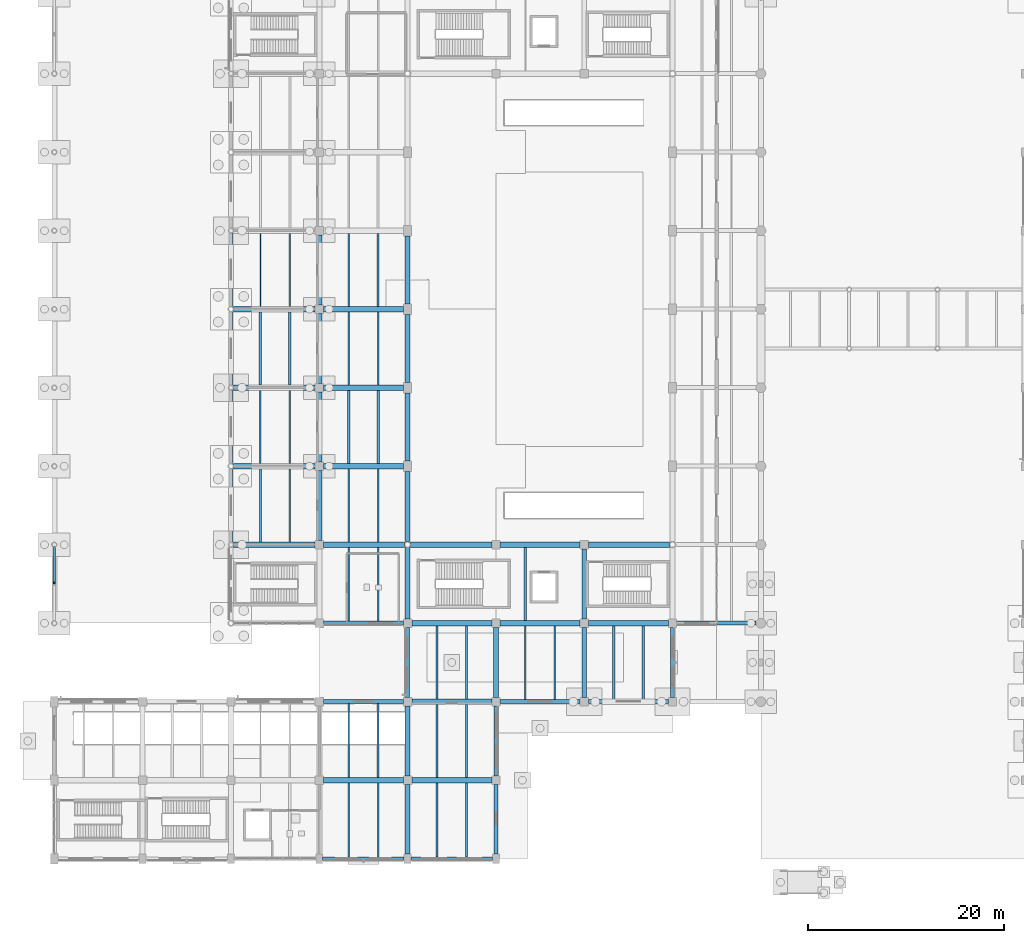
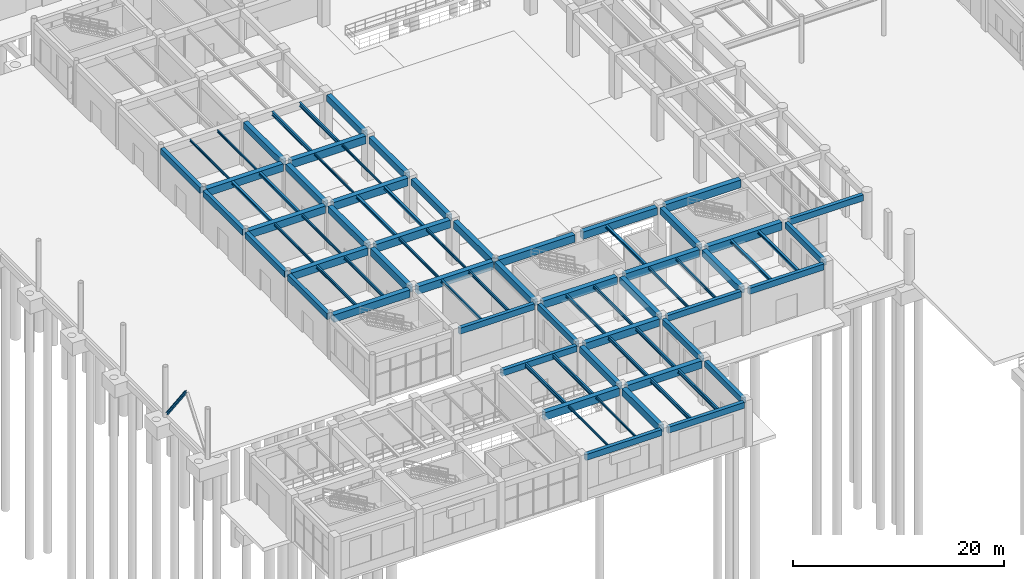
# One storey, part 21 of 121: 79 beams, 1 member.
"""IFC4 building model written with IfcOpenShell, lengths in metres."""

from ifc_helpers import new_model, si_unit, derived_unit, direction, frame, origin, origin_2d, place, context, subcontext, project, spatial, rectangle, i_section, extrude, material, material_profile, profile_set, type_object, element, save


model = new_model("IFC4")

# Units and contexts
model_context = context("Model", 3, precision=1e-05, world=origin(), true_north=direction((0.0, 1.0)))
body_context = subcontext(model_context, "Body", "Model", "MODEL_VIEW")
ifc_project = project(units=[si_unit("LENGTHUNIT", "METRE"), si_unit("AREAUNIT", "SQUARE_METRE"), si_unit("VOLUMEUNIT", "CUBIC_METRE"), si_unit("PLANEANGLEUNIT", "RADIAN"), si_unit("MASSUNIT", "GRAM", prefix="KILO"), derived_unit("THERMALTRANSMITTANCEUNIT", [(si_unit("MASSUNIT", "GRAM", prefix="KILO"), 1), (si_unit("TIMEUNIT", "SECOND"), -3), (si_unit("THERMODYNAMICTEMPERATUREUNIT", "KELVIN"), -1)])], contexts=[model_context])

# Site, building, storey
site_placement = place(None, origin())
site = spatial("IfcSite", under=ifc_project, at=site_placement, CompositionType="ELEMENT")
building_placement = place(site_placement, origin())
building = spatial("IfcBuilding", under=site, at=building_placement, Name="Zhenchuan Archway Interchange", CompositionType="ELEMENT")
storey_placement = place(building_placement, origin())
storey = spatial("IfcBuildingStorey", under=building, at=storey_placement, Name="L00", CompositionType="ELEMENT", Elevation=0.0)

# Beams
ifc_material_1 = material(Name="Concrete C40", Category="concrete")
ifc_material_profile_1 = material_profile(ifc_material_1, rectangle(XDim=0.5, YDim=0.75, at=origin_2d()), Name="RC 500x750")
ifc_profile_set_1 = profile_set([ifc_material_profile_1], Name="Concrete C40")
beam_type_1 = type_object("IfcBeamType", Name="BM_RC_500x750", PredefinedType="BEAM", material=ifc_profile_set_1)
for number, where, z_axis, x_axis, name in (
    (1, (27.0, 40.425048828125, 4.64501953125), (0.0, 1.0, 0.0), (-1.0, 0.0, 0.0), "Beam 4:F-G (L00)"),
    (2, (27.0, 48.425048828125, 4.64501953125), (0.0, 1.0, 0.0), (-1.0, 0.0, 0.0), "Beam 4:G-H (L00)"),
    (3, (27.0, 56.425048828125, 4.64501953125), (0.0, 1.0, 0.0), (-1.0, 0.0, 0.0), "Beam 4:H-J (L00)"),
    (4, (36.0, 8.425048828125, 4.705078125), (0.0, 1.0, 0.0), (-1.0, 0.0, 0.0), "Beam 5:B-C (L00)"),
):
    element("IfcBeam", number, at=place(storey_placement, frame(where, z_axis=z_axis, x_axis=x_axis)), inside=storey, type_object=beam_type_1, Name=name, PredefinedType="BEAM", context=body_context, shape_type="SweptSolid", body=[
        extrude(rectangle(XDim=0.5, YDim=0.75, at=origin_2d()), origin(), (0.0, 0.0, 1.0), 7.14990234375),
    ])
beam_1_placement = place(storey_placement, frame((36.0, 24.425048828125, 4.705078125), z_axis=(0.0, 1.0, 0.0), x_axis=(-1.0, 0.0, 0.0)))
element("IfcBeam", 5, at=beam_1_placement, inside=storey, type_object=beam_type_1, Name="Beam 5:D-E (L00)", PredefinedType="BEAM", context=body_context, shape_type="SweptSolid", body=[
    extrude(rectangle(XDim=0.5, YDim=0.75, at=origin_2d()), origin(), (0.0, 0.0, 1.0), 7.27001953125),
])
for number, where, z_axis, x_axis, name in (
    (6, (36.0, 40.550048828125, 4.705078125), (0.0, 1.0, 0.0), (-1.0, 0.0, 0.0), "Beam 5:F-G (L00)"),
    (7, (36.0, 48.550048828125, 4.705078125), (0.0, 1.0, 0.0), (-1.0, 0.0, 0.0), "Beam 5:G-H (L00)"),
    (8, (36.0, 56.550048828125, 4.705078125), (0.0, 1.0, 0.0), (-1.0, 0.0, 0.0), "Beam 5:H-J (L00)"),
):
    element("IfcBeam", number, at=place(storey_placement, frame(where, z_axis=z_axis, x_axis=x_axis)), inside=storey, type_object=beam_type_1, Name=name, PredefinedType="BEAM", context=body_context, shape_type="SweptSolid", body=[
        extrude(rectangle(XDim=0.5, YDim=0.75, at=origin_2d()), origin(), (0.0, 0.0, 1.0), 6.89990234375),
    ])
for number, where, z_axis, x_axis, name in (
    (9, (45.0, 16.425048828125, 4.705078125), (0.0, 1.0, 0.0), (-1.0, 0.0, 0.0), "Beam 6:C-D (L00)"),
    (10, (54.0, 16.425048828125, 4.705078125), (0.0, 1.0, 0.0), (-1.0, 0.0, 0.0), "Beam 7:C-D (L00)"),
    (11, (54.0, 24.425048828125, 4.705078125), (0.0, 1.0, 0.0), (-1.0, 0.0, 0.0), "Beam 7:D-E (L00)"),
):
    element("IfcBeam", number, at=place(storey_placement, frame(where, z_axis=z_axis, x_axis=x_axis)), inside=storey, type_object=beam_type_1, Name=name, PredefinedType="BEAM", context=body_context, shape_type="SweptSolid", body=[
        extrude(rectangle(XDim=0.5, YDim=0.75, at=origin_2d()), origin(), (0.0, 0.0, 1.0), 7.14990234375),
    ])
ifc_material_profile_2 = material_profile(ifc_material_1, rectangle(XDim=0.5, YDim=0.85009765625, at=origin_2d()), Name="RC 500x850")
ifc_profile_set_2 = profile_set([ifc_material_profile_2], Name="Concrete C40")
beam_type_2 = type_object("IfcBeamType", Name="BM_RC_500x850", PredefinedType="BEAM", material=ifc_profile_set_2)
beam_2_placement = place(storey_placement, frame((27.0, 32.425048828125, 4.594970703125), z_axis=(0.0, 1.0, 0.0), x_axis=(-1.0, 0.0, 0.0)))
element("IfcBeam", 12, at=beam_2_placement, inside=storey, type_object=beam_type_2, Name="Beam 4:E-F (L00)", PredefinedType="BEAM", context=body_context, shape_type="SweptSolid", body=[
    extrude(rectangle(XDim=0.5, YDim=0.85009765625, at=origin_2d()), origin(), (0.0, 0.0, 1.0), 7.14990234375),
])
beam_3_placement = place(storey_placement, frame((36.0, 0.5, 4.655029296875), z_axis=(0.0, 1.0, 0.0), x_axis=(-1.0, 0.0, 0.0)))
element("IfcBeam", 13, at=beam_3_placement, inside=storey, type_object=beam_type_2, Name="Beam 5:A-B (L00)", PredefinedType="BEAM", context=body_context, shape_type="SweptSolid", body=[
    extrude(rectangle(XDim=0.5, YDim=0.85009765625, at=origin_2d()), origin(), (0.0, 0.0, 1.0), 7.074951171875),
])
beam_4_placement = place(storey_placement, frame((36.0, 32.304931640625, 4.655029296875), z_axis=(0.0, 1.0, 0.0), x_axis=(-1.0, 0.0, 0.0)))
element("IfcBeam", 14, at=beam_4_placement, inside=storey, type_object=beam_type_2, Name="Beam 5:E-F (L00)", PredefinedType="BEAM", context=body_context, shape_type="SweptSolid", body=[
    extrude(rectangle(XDim=0.5, YDim=0.85009765625, at=origin_2d()), origin(), (0.0, 0.0, 1.0), 7.14501953125),
])
ifc_material_profile_3 = material_profile(ifc_material_1, rectangle(XDim=0.550048828125, YDim=0.85009765625, at=origin_2d()), Name="RC 550x850")
ifc_profile_set_3 = profile_set([ifc_material_profile_3], Name="Concrete C40")
beam_type_3 = type_object("IfcBeamType", Name="BM_RC_550x850", PredefinedType="BEAM", material=ifc_profile_set_3)
for number, where, z_axis, x_axis, name in (
    (15, (36.425048828125, 8.0, 4.655029296875), (1.0, 0.0, 0.0), (0.0, 1.0, 0.0), "Beam B:5-6 (L00)"),
    (16, (36.425048828125, 16.0, 4.655029296875), (1.0, 0.0, 0.0), (0.0, 1.0, 0.0), "Beam C:5-6 (L00)"),
    (17, (36.425048828125, 24.0, 4.655029296875), (1.0, 0.0, 0.0), (0.0, 1.0, 0.0), "Beam D:5-6 (L00)"),
    (18, (45.425048828125, 24.0, 4.655029296875), (1.0, 0.0, 0.0), (0.0, 1.0, 0.0), "Beam D:6-7 (L00)"),
):
    element("IfcBeam", number, at=place(storey_placement, frame(where, z_axis=z_axis, x_axis=x_axis)), inside=storey, type_object=beam_type_3, Name=name, PredefinedType="BEAM", context=body_context, shape_type="SweptSolid", body=[
        extrude(rectangle(XDim=0.550048828125, YDim=0.85009765625, at=origin_2d()), origin(), (0.0, 0.0, 1.0), 8.14990234375),
    ])
beam_5_placement = place(storey_placement, frame((18.25390625, 32.0, 4.594970703125), z_axis=(1.0, 0.0, 0.0), x_axis=(0.0, 1.0, 0.0)))
element("IfcBeam", 19, at=beam_5_placement, inside=storey, type_object=beam_type_3, Name="Beam E:3-4 (L00)", PredefinedType="BEAM", context=body_context, shape_type="SweptSolid", body=[
    extrude(rectangle(XDim=0.550048828125, YDim=0.85009765625, at=origin_2d()), origin(), (0.0, 0.0, 1.0), 8.321044921875),
])
beam_6_placement = place(storey_placement, frame((36.304931640625, 32.0, 4.655029296875), z_axis=(1.0, 0.0, 0.0), x_axis=(0.0, 1.0, 0.0)))
element("IfcBeam", 20, at=beam_6_placement, inside=storey, type_object=beam_type_3, Name="Beam E:5-6 (L00)", PredefinedType="BEAM", context=body_context, shape_type="SweptSolid", body=[
    extrude(rectangle(XDim=0.550048828125, YDim=0.85009765625, at=origin_2d()), origin(), (0.0, 0.0, 1.0), 8.27001953125),
])
beam_7_placement = place(storey_placement, frame((45.425048828125, 32.0, 4.655029296875), z_axis=(1.0, 0.0, 0.0), x_axis=(0.0, 1.0, 0.0)))
element("IfcBeam", 21, at=beam_7_placement, inside=storey, type_object=beam_type_3, Name="Beam E:6-7 (L00)", PredefinedType="BEAM", context=body_context, shape_type="SweptSolid", body=[
    extrude(rectangle(XDim=0.550048828125, YDim=0.85009765625, at=origin_2d()), origin(), (0.0, 0.0, 1.0), 8.14990234375),
])
beam_8_placement = place(storey_placement, frame((18.279541015625, 40.0, 4.594970703125), z_axis=(1.0, 0.0, 0.0), x_axis=(0.0, 1.0, 0.0)))
element("IfcBeam", 22, at=beam_8_placement, inside=storey, type_object=beam_type_3, Name="Beam F:3-4 (L00)", PredefinedType="BEAM", context=body_context, shape_type="SweptSolid", body=[
    extrude(rectangle(XDim=0.550048828125, YDim=0.85009765625, at=origin_2d()), origin(), (0.0, 0.0, 1.0), 8.29541015625),
])
beam_9_placement = place(storey_placement, frame((18.25390625, 48.0, 4.594970703125), z_axis=(1.0, 0.0, 0.0), x_axis=(0.0, 1.0, 0.0)))
element("IfcBeam", 23, at=beam_9_placement, inside=storey, type_object=beam_type_3, Name="Beam G:3-4 (L00)", PredefinedType="BEAM", context=body_context, shape_type="SweptSolid", body=[
    extrude(rectangle(XDim=0.550048828125, YDim=0.85009765625, at=origin_2d()), origin(), (0.0, 0.0, 1.0), 8.321044921875),
])
beam_10_placement = place(storey_placement, frame((18.279541015625, 56.0, 4.594970703125), z_axis=(1.0, 0.0, 0.0), x_axis=(0.0, 1.0, 0.0)))
element("IfcBeam", 24, at=beam_10_placement, inside=storey, type_object=beam_type_3, Name="Beam H:3-4 (L00)", PredefinedType="BEAM", context=body_context, shape_type="SweptSolid", body=[
    extrude(rectangle(XDim=0.550048828125, YDim=0.85009765625, at=origin_2d()), origin(), (0.0, 0.0, 1.0), 8.29541015625),
])
ifc_material_profile_4 = material_profile(ifc_material_1, rectangle(XDim=0.550048828125, YDim=0.89990234375, at=origin_2d()), Name="RC 550x900")
ifc_profile_set_4 = profile_set([ifc_material_profile_4], Name="Concrete C40")
beam_type_4 = type_object("IfcBeamType", Name="BM_RC_550x900", PredefinedType="BEAM", material=ifc_profile_set_4)
for number, where, z_axis, x_axis, name in (
    (25, (27.425048828125, 8.0, 4.6298828125), (1.0, 0.0, 0.0), (0.0, 1.0, 0.0), "Beam B:4-5 (L00)"),
    (26, (54.425048828125, 24.0, 4.6298828125), (1.0, 0.0, 0.0), (0.0, 1.0, 0.0), "Beam D:7-8 (L00)"),
):
    element("IfcBeam", number, at=place(storey_placement, frame(where, z_axis=z_axis, x_axis=x_axis)), inside=storey, type_object=beam_type_4, Name=name, PredefinedType="BEAM", context=body_context, shape_type="SweptSolid", body=[
        extrude(rectangle(XDim=0.550048828125, YDim=0.89990234375, at=origin_2d()), origin(), (0.0, 0.0, 1.0), 8.14990234375),
    ])
for number, where, z_axis, x_axis, name in (
    (27, (27.425048828125, 32.0, 4.6298828125), (1.0, 0.0, 0.0), (0.0, 1.0, 0.0), "Beam E:4-5 (L00)"),
    (28, (54.425048828125, 32.0, 4.6298828125), (1.0, 0.0, 0.0), (0.0, 1.0, 0.0), "Beam E:7-8 (L00)"),
):
    element("IfcBeam", number, at=place(storey_placement, frame(where, z_axis=z_axis, x_axis=x_axis)), inside=storey, type_object=beam_type_4, Name=name, PredefinedType="BEAM", context=body_context, shape_type="SweptSolid", body=[
        extrude(rectangle(XDim=0.550048828125, YDim=0.89990234375, at=origin_2d()), origin(), (0.0, 0.0, 1.0), 8.27001953125),
    ])
for number, where, z_axis, x_axis, name in (
    (29, (27.425048828125, 40.0, 4.6298828125), (1.0, 0.0, 0.0), (0.0, 1.0, 0.0), "Beam F:4-5 (L00)"),
    (30, (27.425048828125, 48.0, 4.6298828125), (1.0, 0.0, 0.0), (0.0, 1.0, 0.0), "Beam G:4-5 (L00)"),
    (31, (27.425048828125, 56.0, 4.6298828125), (1.0, 0.0, 0.0), (0.0, 1.0, 0.0), "Beam H:4-5 (L00)"),
):
    element("IfcBeam", number, at=place(storey_placement, frame(where, z_axis=z_axis, x_axis=x_axis)), inside=storey, type_object=beam_type_4, Name=name, PredefinedType="BEAM", context=body_context, shape_type="SweptSolid", body=[
        extrude(rectangle(XDim=0.550048828125, YDim=0.89990234375, at=origin_2d()), origin(), (0.0, 0.0, 1.0), 8.175048828125),
    ])
ifc_material_2 = material(Name="Steel Q355", Category="steel")
ifc_material_profile_5 = material_profile(ifc_material_2, i_section(OverallWidth=0.25, OverallDepth=0.340087890625, WebThickness=0.009033203125, FlangeThickness=0.013916015625, FilletRadius=0.01806640625, at=origin_2d()), Name="HM 340x250")
ifc_profile_set_5 = profile_set([ifc_material_profile_5], Name="Steel Q355")
beam_type_5 = type_object("IfcBeamType", Name="JST_STL_HM340", PredefinedType="JOIST", material=ifc_profile_set_5)
for number, where, z_axis, x_axis, name in (
    (32, (21.0, 48.27490234375, 4.85009765625), (0.0, 1.0, 0.0), (-1.0, 0.0, 0.0), "Secondary joist 3-4/G-H #1 (L00)"),
    (33, (24.0, 48.27490234375, 4.85009765625), (0.0, 1.0, 0.0), (-1.0, 0.0, 0.0), "Secondary joist 3-4/G-H #2 (L00)"),
    (34, (30.0, 40.27490234375, 4.909912109375), (0.0, 1.0, 0.0), (-1.0, 0.0, 0.0), "Secondary joist 4-5/F-G #1 (L00)"),
    (35, (33.0, 40.27490234375, 4.909912109375), (0.0, 1.0, 0.0), (-1.0, 0.0, 0.0), "Secondary joist 4-5/F-G #2 (L00)"),
    (36, (48.0, 24.27490234375, 4.909912109375), (0.0, 1.0, 0.0), (-1.0, 0.0, 0.0), "Secondary joist 6-7/D-E #1 (L00)"),
):
    element("IfcBeam", number, at=place(storey_placement, frame(where, z_axis=z_axis, x_axis=x_axis)), inside=storey, type_object=beam_type_5, Name=name, PredefinedType="JOIST", context=body_context, shape_type="SweptSolid", body=[
        extrude(i_section(OverallWidth=0.25, OverallDepth=0.340087890625, WebThickness=0.009033203125, FlangeThickness=0.013916015625, FilletRadius=0.01806640625, at=origin_2d()), origin(), (0.0, 0.0, 1.0), 7.4501953125),
    ])
for number, where, z_axis, x_axis, name in (
    (37, (57.0, 16.199951171875, 4.909912109375), (0.0, 1.0, 0.0), (-1.0, 0.0, 0.0), "Secondary joist 7-8/C-D #1 (L00)"),
    (38, (60.0, 16.199951171875, 4.909912109375), (0.0, 1.0, 0.0), (-1.0, 0.0, 0.0), "Secondary joist 7-8/C-D #2 (L00)"),
):
    element("IfcBeam", number, at=place(storey_placement, frame(where, z_axis=z_axis, x_axis=x_axis)), inside=storey, type_object=beam_type_5, Name=name, PredefinedType="JOIST", context=body_context, shape_type="SweptSolid", body=[
        extrude(i_section(OverallWidth=0.25, OverallDepth=0.340087890625, WebThickness=0.009033203125, FlangeThickness=0.013916015625, FilletRadius=0.01806640625, at=origin_2d()), origin(), (0.0, 0.0, 1.0), 7.525146484375),
    ])
ifc_material_profile_6 = material_profile(ifc_material_2, i_section(OverallWidth=0.125, OverallDepth=0.25, WebThickness=0.006103515625, FlangeThickness=0.009033203125, FilletRadius=0.011962890625, at=origin_2d()), Name="HN 250x125")
ifc_profile_set_6 = profile_set([ifc_material_profile_6], Name="Steel Q355")
beam_type_6 = type_object("IfcBeamType", Name="JST_STL_HN250", PredefinedType="JOIST", material=ifc_profile_set_6)
for number, where, z_axis, x_axis, name in (
    (39, (21.0, 56.27490234375, 4.89501953125), (0.0, 1.0, 0.0), (-1.0, 0.0, 0.0), "Secondary joist 3-4/H-J #1 (L00)"),
    (40, (24.0, 56.27490234375, 4.89501953125), (0.0, 1.0, 0.0), (-1.0, 0.0, 0.0), "Secondary joist 3-4/H-J #2 (L00)"),
):
    element("IfcBeam", number, at=place(storey_placement, frame(where, z_axis=z_axis, x_axis=x_axis)), inside=storey, type_object=beam_type_6, Name=name, PredefinedType="JOIST", context=body_context, shape_type="SweptSolid", body=[
        extrude(i_section(OverallWidth=0.125, OverallDepth=0.25, WebThickness=0.006103515625, FlangeThickness=0.009033203125, FilletRadius=0.011962890625, at=origin_2d()), origin(), (0.0, 0.0, 1.0), 7.4501953125),
    ])
for number, where, z_axis, x_axis, name in (
    (41, (30.0, 0.199951171875, 4.955078125), (0.0, 1.0, 0.0), (-1.0, 0.0, 0.0), "Secondary joist 4-5/A-B #1 (L00)"),
    (42, (33.0, 0.199951171875, 4.955078125), (0.0, 1.0, 0.0), (-1.0, 0.0, 0.0), "Secondary joist 4-5/A-B #2 (L00)"),
):
    element("IfcBeam", number, at=place(storey_placement, frame(where, z_axis=z_axis, x_axis=x_axis)), inside=storey, type_object=beam_type_6, Name=name, PredefinedType="JOIST", context=body_context, shape_type="SweptSolid", body=[
        extrude(i_section(OverallWidth=0.125, OverallDepth=0.25, WebThickness=0.006103515625, FlangeThickness=0.009033203125, FilletRadius=0.011962890625, at=origin_2d()), origin(), (0.0, 0.0, 1.0), 7.525146484375),
    ])
for number, where, z_axis, x_axis, name in (
    (43, (30.0, 48.27490234375, 4.955078125), (0.0, 1.0, 0.0), (-1.0, 0.0, 0.0), "Secondary joist 4-5/G-H #1 (L00)"),
    (44, (33.0, 48.27490234375, 4.955078125), (0.0, 1.0, 0.0), (-1.0, 0.0, 0.0), "Secondary joist 4-5/G-H #2 (L00)"),
):
    element("IfcBeam", number, at=place(storey_placement, frame(where, z_axis=z_axis, x_axis=x_axis)), inside=storey, type_object=beam_type_6, Name=name, PredefinedType="JOIST", context=body_context, shape_type="SweptSolid", body=[
        extrude(i_section(OverallWidth=0.125, OverallDepth=0.25, WebThickness=0.006103515625, FlangeThickness=0.009033203125, FilletRadius=0.011962890625, at=origin_2d()), origin(), (0.0, 0.0, 1.0), 7.4501953125),
    ])
ifc_material_profile_7 = material_profile(ifc_material_2, i_section(OverallWidth=0.14990234375, OverallDepth=0.300048828125, WebThickness=0.006591796875, FlangeThickness=0.009033203125, FilletRadius=0.012939453125, at=origin_2d()), Name="HN 300x150")
ifc_profile_set_7 = profile_set([ifc_material_profile_7], Name="Steel Q355")
beam_type_7 = type_object("IfcBeamType", Name="JST_STL_HN300", PredefinedType="JOIST", material=ifc_profile_set_7)
for number, where, z_axis, x_axis, name in (
    (45, (21.0, 40.27490234375, 4.8701171875), (0.0, 1.0, 0.0), (-1.0, 0.0, 0.0), "Secondary joist 3-4/F-G #1 (L00)"),
    (46, (24.0, 40.27490234375, 4.8701171875), (0.0, 1.0, 0.0), (-1.0, 0.0, 0.0), "Secondary joist 3-4/F-G #2 (L00)"),
    (47, (30.0, 32.27490234375, 4.929931640625), (0.0, 1.0, 0.0), (-1.0, 0.0, 0.0), "Secondary joist 4-5/E-F #1 (L00)"),
    (48, (33.0, 32.27490234375, 4.929931640625), (0.0, 1.0, 0.0), (-1.0, 0.0, 0.0), "Secondary joist 4-5/E-F #2 (L00)"),
):
    element("IfcBeam", number, at=place(storey_placement, frame(where, z_axis=z_axis, x_axis=x_axis)), inside=storey, type_object=beam_type_7, Name=name, PredefinedType="JOIST", context=body_context, shape_type="SweptSolid", body=[
        extrude(i_section(OverallWidth=0.14990234375, OverallDepth=0.300048828125, WebThickness=0.006591796875, FlangeThickness=0.009033203125, FilletRadius=0.012939453125, at=origin_2d()), origin(), (0.0, 0.0, 1.0), 7.4501953125),
    ])
for number, where, z_axis, x_axis, name in (
    (49, (48.0, 16.199951171875, 4.929931640625), (0.0, 1.0, 0.0), (-1.0, 0.0, 0.0), "Secondary joist 6-7/C-D #1 (L00)"),
    (50, (51.0, 16.199951171875, 4.929931640625), (0.0, 1.0, 0.0), (-1.0, 0.0, 0.0), "Secondary joist 6-7/C-D #2 (L00)"),
):
    element("IfcBeam", number, at=place(storey_placement, frame(where, z_axis=z_axis, x_axis=x_axis)), inside=storey, type_object=beam_type_7, Name=name, PredefinedType="JOIST", context=body_context, shape_type="SweptSolid", body=[
        extrude(i_section(OverallWidth=0.14990234375, OverallDepth=0.300048828125, WebThickness=0.006591796875, FlangeThickness=0.009033203125, FilletRadius=0.012939453125, at=origin_2d()), origin(), (0.0, 0.0, 1.0), 7.525146484375),
    ])
ifc_material_profile_8 = material_profile(ifc_material_2, i_section(OverallWidth=0.175048828125, OverallDepth=0.35009765625, WebThickness=0.007080078125, FlangeThickness=0.010986328125, FilletRadius=0.013916015625, at=origin_2d()), Name="HN 350x175")
ifc_profile_set_8 = profile_set([ifc_material_profile_8], Name="Steel Q355")
beam_type_8 = type_object("IfcBeamType", Name="JST_STL_HN350", PredefinedType="JOIST", material=ifc_profile_set_8)
for number, where, z_axis, x_axis, name in (
    (51, (21.0, 32.27490234375, 4.844970703125), (0.0, 1.0, 0.0), (-1.0, 0.0, 0.0), "Secondary joist 3-4/E-F #1 (L00)"),
    (52, (24.0, 32.27490234375, 4.844970703125), (0.0, 1.0, 0.0), (-1.0, 0.0, 0.0), "Secondary joist 3-4/E-F #2 (L00)"),
):
    element("IfcBeam", number, at=place(storey_placement, frame(where, z_axis=z_axis, x_axis=x_axis)), inside=storey, type_object=beam_type_8, Name=name, PredefinedType="JOIST", context=body_context, shape_type="SweptSolid", body=[
        extrude(i_section(OverallWidth=0.175048828125, OverallDepth=0.35009765625, WebThickness=0.007080078125, FlangeThickness=0.010986328125, FilletRadius=0.013916015625, at=origin_2d()), origin(), (0.0, 0.0, 1.0), 7.4501953125),
    ])
for number, where, z_axis, x_axis, name in (
    (53, (30.0, 24.199951171875, 4.905029296875), (0.0, 1.0, 0.0), (-1.0, 0.0, 0.0), "Secondary joist 4-5/D-E #1 (L00)"),
    (54, (33.0, 24.199951171875, 4.905029296875), (0.0, 1.0, 0.0), (-1.0, 0.0, 0.0), "Secondary joist 4-5/D-E #2 (L00)"),
):
    element("IfcBeam", number, at=place(storey_placement, frame(where, z_axis=z_axis, x_axis=x_axis)), inside=storey, type_object=beam_type_8, Name=name, PredefinedType="JOIST", context=body_context, shape_type="SweptSolid", body=[
        extrude(i_section(OverallWidth=0.175048828125, OverallDepth=0.35009765625, WebThickness=0.007080078125, FlangeThickness=0.010986328125, FilletRadius=0.013916015625, at=origin_2d()), origin(), (0.0, 0.0, 1.0), 7.525146484375),
    ])
for number, where, z_axis, x_axis, name in (
    (55, (39.0, 16.27490234375, 4.905029296875), (0.0, 1.0, 0.0), (-1.0, 0.0, 0.0), "Secondary joist 5-6/C-D #1 (L00)"),
    (56, (42.0, 16.27490234375, 4.905029296875), (0.0, 1.0, 0.0), (-1.0, 0.0, 0.0), "Secondary joist 5-6/C-D #2 (L00)"),
):
    element("IfcBeam", number, at=place(storey_placement, frame(where, z_axis=z_axis, x_axis=x_axis)), inside=storey, type_object=beam_type_8, Name=name, PredefinedType="JOIST", context=body_context, shape_type="SweptSolid", body=[
        extrude(i_section(OverallWidth=0.175048828125, OverallDepth=0.35009765625, WebThickness=0.007080078125, FlangeThickness=0.010986328125, FilletRadius=0.013916015625, at=origin_2d()), origin(), (0.0, 0.0, 1.0), 7.4501953125),
    ])
ifc_material_profile_9 = material_profile(ifc_material_2, i_section(OverallWidth=0.199951171875, OverallDepth=0.39990234375, WebThickness=0.008056640625, FlangeThickness=0.012939453125, FilletRadius=0.01611328125, at=origin_2d()), Name="HN 400x200")
ifc_profile_set_9 = profile_set([ifc_material_profile_9], Name="Steel Q355")
beam_type_9 = type_object("IfcBeamType", Name="JST_STL_HN400", PredefinedType="JOIST", material=ifc_profile_set_9)
for number, where, z_axis, x_axis, name in (
    (57, (39.0, 8.27490234375, 4.8798828125), (0.0, 1.0, 0.0), (-1.0, 0.0, 0.0), "Secondary joist 5-6/B-C #1 (L00)"),
    (58, (42.0, 8.27490234375, 4.8798828125), (0.0, 1.0, 0.0), (-1.0, 0.0, 0.0), "Secondary joist 5-6/B-C #2 (L00)"),
):
    element("IfcBeam", number, at=place(storey_placement, frame(where, z_axis=z_axis, x_axis=x_axis)), inside=storey, type_object=beam_type_9, Name=name, PredefinedType="JOIST", context=body_context, shape_type="SweptSolid", body=[
        extrude(i_section(OverallWidth=0.199951171875, OverallDepth=0.39990234375, WebThickness=0.008056640625, FlangeThickness=0.012939453125, FilletRadius=0.01611328125, at=origin_2d()), origin(), (0.0, 0.0, 1.0), 7.4501953125),
    ])
ifc_material_profile_10 = material_profile(ifc_material_2, i_section(OverallWidth=0.199951171875, OverallDepth=0.449951171875, WebThickness=0.009033203125, FlangeThickness=0.013916015625, FilletRadius=0.01806640625, at=origin_2d()), Name="HN 450x200")
ifc_profile_set_10 = profile_set([ifc_material_profile_10], Name="Steel Q355")
beam_type_10 = type_object("IfcBeamType", Name="JST_STL_HN450", PredefinedType="JOIST", material=ifc_profile_set_10)
for number, where, z_axis, x_axis, name in (
    (59, (30.0, 8.27490234375, 4.85498046875), (0.0, 1.0, 0.0), (-1.0, 0.0, 0.0), "Secondary joist 4-5/B-C #1 (L00)"),
    (60, (33.0, 8.27490234375, 4.85498046875), (0.0, 1.0, 0.0), (-1.0, 0.0, 0.0), "Secondary joist 4-5/B-C #2 (L00)"),
):
    element("IfcBeam", number, at=place(storey_placement, frame(where, z_axis=z_axis, x_axis=x_axis)), inside=storey, type_object=beam_type_10, Name=name, PredefinedType="JOIST", context=body_context, shape_type="SweptSolid", body=[
        extrude(i_section(OverallWidth=0.199951171875, OverallDepth=0.449951171875, WebThickness=0.009033203125, FlangeThickness=0.013916015625, FilletRadius=0.01806640625, at=origin_2d()), origin(), (0.0, 0.0, 1.0), 7.525146484375),
    ])
for number, where, z_axis, x_axis, name in (
    (61, (30.0, 56.27490234375, 4.85498046875), (0.0, 1.0, 0.0), (-1.0, 0.0, 0.0), "Secondary joist 4-5/H-J #1 (L00)"),
    (62, (33.0, 56.27490234375, 4.85498046875), (0.0, 1.0, 0.0), (-1.0, 0.0, 0.0), "Secondary joist 4-5/H-J #2 (L00)"),
):
    element("IfcBeam", number, at=place(storey_placement, frame(where, z_axis=z_axis, x_axis=x_axis)), inside=storey, type_object=beam_type_10, Name=name, PredefinedType="JOIST", context=body_context, shape_type="SweptSolid", body=[
        extrude(i_section(OverallWidth=0.199951171875, OverallDepth=0.449951171875, WebThickness=0.009033203125, FlangeThickness=0.013916015625, FilletRadius=0.01806640625, at=origin_2d()), origin(), (0.0, 0.0, 1.0), 7.4501953125),
    ])
for number, where, z_axis, x_axis, name in (
    (63, (39.0, 0.199951171875, 4.85498046875), (0.0, 1.0, 0.0), (-1.0, 0.0, 0.0), "Secondary joist 5-6/A-B #1 (L00)"),
    (64, (42.0, 0.199951171875, 4.85498046875), (0.0, 1.0, 0.0), (-1.0, 0.0, 0.0), "Secondary joist 5-6/A-B #2 (L00)"),
):
    element("IfcBeam", number, at=place(storey_placement, frame(where, z_axis=z_axis, x_axis=x_axis)), inside=storey, type_object=beam_type_10, Name=name, PredefinedType="JOIST", context=body_context, shape_type="SweptSolid", body=[
        extrude(i_section(OverallWidth=0.199951171875, OverallDepth=0.449951171875, WebThickness=0.009033203125, FlangeThickness=0.013916015625, FilletRadius=0.01806640625, at=origin_2d()), origin(), (0.0, 0.0, 1.0), 7.525146484375),
    ])

# Member
ifc_material_profile_11 = material_profile(ifc_material_2, i_section(OverallWidth=0.25, OverallDepth=0.25, WebThickness=0.009033203125, FlangeThickness=0.013916015625, FilletRadius=0.01611328125, at=origin_2d()), Name="HW 250x250")
ifc_profile_set_11 = profile_set([ifc_material_profile_11], Name="Steel Q355")
member_type = type_object("IfcMemberType", Name="MB_HW250", PredefinedType="BRACE", material=ifc_profile_set_11)
member_placement = place(storey_placement, frame((0.0, 31.699951171875, 0.050048828125), z_axis=(0.0, -0.606130661201, 0.795365086958), x_axis=(1.0, 0.0, 0.0)))
element("IfcMember", 65, at=member_placement, inside=storey, type_object=member_type, Name="Bus canopy lateral chevron brace B1R (L00)", PredefinedType="BRACE", context=body_context, shape_type="SweptSolid", body=[
    extrude(i_section(OverallWidth=0.25, OverallDepth=0.25, WebThickness=0.009033203125, FlangeThickness=0.013916015625, FilletRadius=0.01611328125, at=origin_2d()), origin(), (0.0, 0.0, 1.0), 5.97216796875),
])

# Beams
ifc_material_profile_12 = material_profile(ifc_material_1, rectangle(XDim=0.39990234375, YDim=0.699951171875, at=origin_2d()), Name="RC 400x700")
ifc_profile_set_12 = profile_set([ifc_material_profile_12], Name="Concrete C40")
beam_type_11 = type_object("IfcBeamType", Name="SP_RC_400x700", PredefinedType="SPANDREL", material=ifc_profile_set_12)
for number, where, z_axis, x_axis, name in (
    (66, (27.35009765625, 0.0, 4.72998046875), (1.0, 0.0, 0.0), (0.0, 1.0, 0.0), "Beam A:4-5 (L00)"),
    (67, (36.35009765625, 0.0, 4.72998046875), (1.0, 0.0, 0.0), (0.0, 1.0, 0.0), "Beam A:5-6 (L00)"),
):
    element("IfcBeam", number, at=place(storey_placement, frame(where, z_axis=z_axis, x_axis=x_axis)), inside=storey, type_object=beam_type_11, Name=name, PredefinedType="SPANDREL", context=body_context, shape_type="SweptSolid", body=[
        extrude(rectangle(XDim=0.39990234375, YDim=0.699951171875, at=origin_2d()), origin(), (0.0, 0.0, 1.0), 8.2998046875),
    ])
for number, where, z_axis, x_axis, name in (
    (68, (27.425048828125, 16.0, 4.72998046875), (1.0, 0.0, 0.0), (0.0, 1.0, 0.0), "Beam C:4-5 (L00)"),
    (69, (45.425048828125, 16.0, 4.72998046875), (1.0, 0.0, 0.0), (0.0, 1.0, 0.0), "Beam C:6-7 (L00)"),
    (70, (54.425048828125, 16.0, 4.72998046875), (1.0, 0.0, 0.0), (0.0, 1.0, 0.0), "Beam C:7-8 (L00)"),
    (71, (27.425048828125, 24.0, 4.72998046875), (1.0, 0.0, 0.0), (0.0, 1.0, 0.0), "Beam D:4-5 (L00)"),
):
    element("IfcBeam", number, at=place(storey_placement, frame(where, z_axis=z_axis, x_axis=x_axis)), inside=storey, type_object=beam_type_11, Name=name, PredefinedType="SPANDREL", context=body_context, shape_type="SweptSolid", body=[
        extrude(rectangle(XDim=0.39990234375, YDim=0.699951171875, at=origin_2d()), origin(), (0.0, 0.0, 1.0), 8.14990234375),
    ])
beam_11_placement = place(storey_placement, frame((63.425048828125, 24.0, 4.72998046875), z_axis=(1.0, 0.0, 0.0), x_axis=(0.0, 1.0, 0.0)))
element("IfcBeam", 72, at=beam_11_placement, inside=storey, type_object=beam_type_11, Name="Beam D:8-9 (L00)", PredefinedType="SPANDREL", context=body_context, shape_type="SweptSolid", body=[
    extrude(rectangle(XDim=0.39990234375, YDim=0.699951171875, at=origin_2d()), origin(), (0.0, 0.0, 1.0), 8.074951171875),
])
for number, where, z_axis, x_axis, name in (
    (73, (18.0, 32.25390625, 4.669921875), (0.0, 1.0, 0.0), (-1.0, 0.0, 0.0), "Beam 3:E-F (L00)"),
    (74, (18.0, 40.279541015625, 4.669921875), (0.0, 1.0, 0.0), (-1.0, 0.0, 0.0), "Beam 3:F-G (L00)"),
    (75, (18.0, 48.25390625, 4.669921875), (0.0, 1.0, 0.0), (-1.0, 0.0, 0.0), "Beam 3:G-H (L00)"),
    (76, (18.0, 56.279541015625, 4.669921875), (0.0, 1.0, 0.0), (-1.0, 0.0, 0.0), "Beam 3:H-J (L00)"),
):
    element("IfcBeam", number, at=place(storey_placement, frame(where, z_axis=z_axis, x_axis=x_axis)), inside=storey, type_object=beam_type_11, Name=name, PredefinedType="SPANDREL", context=body_context, shape_type="SweptSolid", body=[
        extrude(rectangle(XDim=0.39990234375, YDim=0.699951171875, at=origin_2d()), origin(), (0.0, 0.0, 1.0), 7.466552734375),
    ])
beam_12_placement = place(storey_placement, frame((36.0, 16.425048828125, 4.72998046875), z_axis=(0.0, 1.0, 0.0), x_axis=(-1.0, 0.0, 0.0)))
element("IfcBeam", 77, at=beam_12_placement, inside=storey, type_object=beam_type_11, Name="Beam 5:C-D (L00)", PredefinedType="SPANDREL", context=body_context, shape_type="SweptSolid", body=[
    extrude(rectangle(XDim=0.39990234375, YDim=0.699951171875, at=origin_2d()), origin(), (0.0, 0.0, 1.0), 7.14990234375),
])
beam_13_placement = place(storey_placement, frame((45.0, 0.5, 4.72998046875), z_axis=(0.0, 1.0, 0.0), x_axis=(-1.0, 0.0, 0.0)))
element("IfcBeam", 78, at=beam_13_placement, inside=storey, type_object=beam_type_11, Name="Beam 6:A-B (L00)", PredefinedType="SPANDREL", context=body_context, shape_type="SweptSolid", body=[
    extrude(rectangle(XDim=0.39990234375, YDim=0.699951171875, at=origin_2d()), origin(), (0.0, 0.0, 1.0), 7.074951171875),
])
for number, where, z_axis, x_axis, name in (
    (79, (45.0, 8.425048828125, 4.72998046875), (0.0, 1.0, 0.0), (-1.0, 0.0, 0.0), "Beam 6:B-C (L00)"),
    (80, (63.0, 16.425048828125, 4.72998046875), (0.0, 1.0, 0.0), (-1.0, 0.0, 0.0), "Beam 8:C-D (L00)"),
):
    element("IfcBeam", number, at=place(storey_placement, frame(where, z_axis=z_axis, x_axis=x_axis)), inside=storey, type_object=beam_type_11, Name=name, PredefinedType="SPANDREL", context=body_context, shape_type="SweptSolid", body=[
        extrude(rectangle(XDim=0.39990234375, YDim=0.699951171875, at=origin_2d()), origin(), (0.0, 0.0, 1.0), 7.14990234375),
    ])

save(model, "model.ifc")
